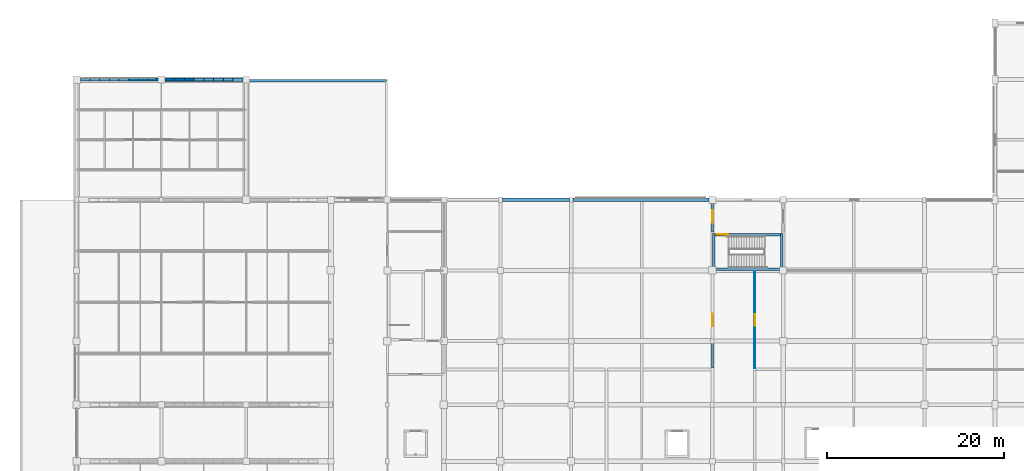
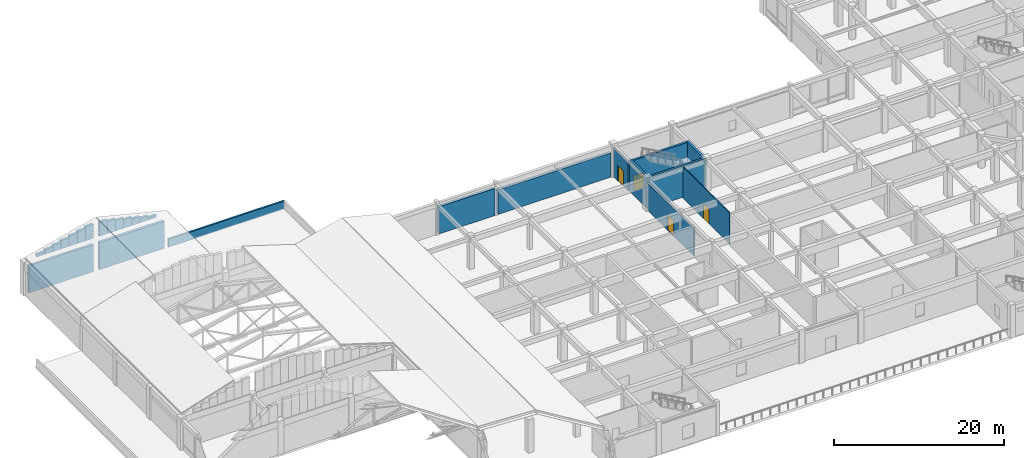
# One storey, part 50 of 61: 26 walls, 4 doors, 4 openings.
"""IFC4 building model written with IfcOpenShell, lengths in metres."""

from ifc_helpers import new_model, si_unit, direction, frame, frame_2d, origin, place, context, subcontext, project, spatial, rectangle, extrude, material, layer, layer_set, type_object, element, fill, save


model = new_model("IFC4")

# Units and contexts
model_context = context("Model", 3, precision=1e-05, world=origin(), true_north=direction((0.0, 1.0)))
body_context = subcontext(model_context, "Body", "Model", "MODEL_VIEW")
ifc_project = project(units=[si_unit("LENGTHUNIT", "METRE"), si_unit("AREAUNIT", "SQUARE_METRE"), si_unit("VOLUMEUNIT", "CUBIC_METRE"), si_unit("PLANEANGLEUNIT", "RADIAN"), si_unit("MASSUNIT", "GRAM", prefix="KILO")], contexts=[model_context])

# Site, building, storey
site_placement = place(None, origin())
site = spatial("IfcSite", under=ifc_project, at=site_placement, CompositionType="ELEMENT")
building_placement = place(site_placement, origin())
building = spatial("IfcBuilding", under=site, at=building_placement, Name="Vellmiral Cinema and Media Centre", CompositionType="ELEMENT")
storey_placement = place(building_placement, frame((0.0, 0.0, 10.800048828125)))
storey = spatial("IfcBuildingStorey", under=building, at=storey_placement, Name="L02", CompositionType="ELEMENT", Elevation=10.800048828125)

# Wall, opening, door
ifc_material_1 = material(Name="Concrete C40/50", Category="concrete")
ifc_layer_1 = layer(ifc_material_1, 0.2099609375, Name="Concrete C40/50")
ifc_layer_set_1 = layer_set([ifc_layer_1], Name="Concrete C40/50")
wall_type_1 = type_object("IfcWallType", Name="WL-COMP-210", PredefinedType="SOLIDWALL", material=ifc_layer_set_1)
wall_1_placement = place(storey_placement, frame((78.39990234375, 76.139892578125, 0.0), z_axis=(0.0, 0.0, 1.0), x_axis=(0.0, 1.0, 0.0)))
wall_1 = element("IfcWall", 1, at=wall_1_placement, inside=storey, type_object=wall_type_1, Name="Media Stack Room Wall E", PredefinedType="SOLIDWALL", context=body_context, shape_type="SweptSolid", body=[
    extrude(rectangle(XDim=10.920166015625, YDim=0.2099609375, at=frame_2d((5.4599609375, 0.0))), origin(), (0.0, 0.0, 1.0), 3.89501953125),
])
opening_1_placement = place(wall_1_placement, frame((4.760009765625, 0.0, 0.0)))
opening_1 = element("IfcOpeningElement", 2, at=opening_1_placement, cuts=wall_1, Name="Opening D-FD60B", PredefinedType="OPENING", context=body_context, shape_type="SweptSolid", body=[
    extrude(rectangle(XDim=1.39990234375, YDim=2.199951171875, at=frame_2d((0.699951171875, 1.10009765625))), frame((0.0, 0.116943359375, 0.0), z_axis=(0.0, -1.0, 0.0), x_axis=(1.0, 0.0, 0.0)), (0.0, 0.0, 1.0), 0.23388671875),
])
ifc_material_2 = material(Name="Steel Fire Door", Category="steel")
door_type_1 = type_object("IfcDoorType", Name="DR-FD60-1400x2200", OperationType="NOTDEFINED", PredefinedType="DOOR", material=ifc_material_2)
door_1_placement = place(opening_1_placement, origin())
door_1 = element("IfcDoor", 3, at=door_1_placement, inside=storey, type_object=door_type_1, Name="Media Stack Room Door", OperationType="SINGLE_SWING_RIGHT", OverallHeight=2.199951171875, OverallWidth=1.39990234375, PredefinedType="DOOR", context=body_context, shape_type="SweptSolid", body=[
    extrude(rectangle(XDim=1.39990234375, YDim=2.199951171875, at=frame_2d((0.699951171875, 1.10009765625))), frame((0.0, 0.02490234375, 0.0), z_axis=(0.0, -1.0, 0.0), x_axis=(1.0, 0.0, 0.0)), (0.0, 0.0, 1.0), 0.050048828125),
])
fill(opening_1, door_1)

# Walls
ifc_material_3 = material(Name="Concrete C40/50", Category="concrete")
ifc_layer_2 = layer(ifc_material_3, 0.300048828125, Name="Concrete C40/50")
ifc_layer_set_2 = layer_set([ifc_layer_2], Name="Concrete C40/50")
wall_type_2 = type_object("IfcWallType", Name="WL-CORE-300", PredefinedType="SHEAR", material=ifc_layer_set_2)
for number, where, z_axis, x_axis, name in (
    (4, (78.550048828125, 87.199951171875, 0.0), (0.0, 0.0, 1.0), (0.0, 1.0, 0.0), "Stair Core Wall ST-P5 L02-W"),
    (5, (86.25, 87.199951171875, 0.0), (0.0, 0.0, 1.0), (0.0, 1.0, 0.0), "Stair Core Wall ST-P5 L02-E"),
):
    element("IfcWall", number, at=place(storey_placement, frame(where, z_axis=z_axis, x_axis=x_axis)), inside=storey, type_object=wall_type_2, Name=name, PredefinedType="SHEAR", context=body_context, shape_type="SweptSolid", body=[
        extrude(rectangle(XDim=4.199951171875, YDim=0.300048828125, at=frame_2d((2.10009765625, 0.0))), origin(), (0.0, 0.0, 1.0), 4.5),
    ])
wall_2_placement = place(storey_placement, frame((78.699951171875, 87.35009765625, 0.0), z_axis=(0.0, 0.0, 1.0), x_axis=(1.0, 0.0, 0.0)))
element("IfcWall", 6, at=wall_2_placement, inside=storey, type_object=wall_type_2, Name="Stair Core Wall ST-P5 L02-S", PredefinedType="SHEAR", context=body_context, shape_type="SweptSolid", body=[
    extrude(rectangle(XDim=7.400146484375, YDim=0.300048828125, at=frame_2d((3.7001953125, 0.0))), origin(), (0.0, 0.0, 1.0), 4.5),
])

# Wall, opening, door
wall_3_placement = place(storey_placement, frame((78.699951171875, 91.25, 0.0), z_axis=(0.0, 0.0, 1.0), x_axis=(1.0, 0.0, 0.0)))
wall_3 = element("IfcWall", 7, at=wall_3_placement, inside=storey, type_object=wall_type_2, Name="Stair Core Wall ST-P5 L02-N", PredefinedType="SHEAR", context=body_context, shape_type="SweptSolid", body=[
    extrude(rectangle(XDim=7.400146484375, YDim=0.300048828125, at=frame_2d((3.7001953125, 0.0))), origin(), (0.0, 0.0, 1.0), 4.5),
])
opening_2_placement = place(wall_3_placement, frame((0.159912109375, 0.0, 0.0)))
opening_2 = element("IfcOpeningElement", 8, at=opening_2_placement, cuts=wall_3, Name="Opening D-FD30A", PredefinedType="OPENING", context=body_context, shape_type="SweptSolid", body=[
    extrude(rectangle(XDim=1.300048828125, YDim=2.179931640625, at=frame_2d((0.64990234375, 1.08984375))), frame((0.0, 0.162109375, 0.0), z_axis=(0.0, -1.0, 0.0), x_axis=(1.0, 0.0, 0.0)), (0.0, 0.0, 1.0), 0.323974609375),
])
ifc_material_4 = material(Name="Steel Stair Fire Door", Category="steel")
door_type_2 = type_object("IfcDoorType", Name="DR-FD30-1300x2180", OperationType="NOTDEFINED", PredefinedType="DOOR", material=ifc_material_4)
door_2_placement = place(opening_2_placement, frame((1.300048828125, 0.0, 0.0), z_axis=(0.0, 0.0, 1.0), x_axis=(-1.0, 0.0, 0.0)))
door_2 = element("IfcDoor", 9, at=door_2_placement, inside=storey, type_object=door_type_2, Name="Protected Stair Door ST-P5 L02", OperationType="SINGLE_SWING_RIGHT", OverallHeight=2.179931640625, OverallWidth=1.300048828125, PredefinedType="DOOR", context=body_context, shape_type="SweptSolid", body=[
    extrude(rectangle(XDim=1.300048828125, YDim=2.179931640625, at=frame_2d((0.64990234375, 1.08984375))), frame((0.0, 0.02490234375, 0.0), z_axis=(0.0, -1.0, 0.0), x_axis=(1.0, 0.0, 0.0)), (0.0, 0.0, 1.0), 0.050048828125),
])
fill(opening_2, door_2)

# Walls
ifc_material_5 = material(Name="Polychrome Glazed Ceramic Cladding", Category="masonry")
ifc_layer_3 = layer(ifc_material_5, 0.320068359375, Name="Polychrome Glazed Ceramic Cladding")
ifc_layer_set_3 = layer_set([ifc_layer_3], Name="Polychrome Glazed Ceramic Cladding")
wall_type_3 = type_object("IfcWallType", Name="WL-EXT-BRICK-320", PredefinedType="SOLIDWALL", material=ifc_layer_set_3)
wall_4_placement = place(storey_placement, frame((15.60009765625, 108.800048828125, 0.0), z_axis=(0.0, 0.0, 1.0), x_axis=(-1.0, 0.0, 0.0)))
element("IfcWall", 10, at=wall_4_placement, inside=storey, type_object=wall_type_3, Name="Exterior Facade Wall L02-072", PredefinedType="SOLIDWALL", context=body_context, shape_type="SweptSolid", body=[
    extrude(rectangle(XDim=8.775146484375, YDim=0.320068359375, at=frame_2d((4.3876953125, 0.0))), origin(), (0.0, 0.0, 1.0), 3.89990234375),
])
ifc_material_6 = material(Name="Vosges Red Sandstone Masonry", Category="masonry")
ifc_layer_4 = layer(ifc_material_6, 0.340087890625, Name="Vosges Red Sandstone Masonry")
ifc_layer_set_4 = layer_set([ifc_layer_4], Name="Vosges Red Sandstone Masonry")
wall_type_4 = type_object("IfcWallType", Name="WL-EXT-SAND-340", PredefinedType="SOLIDWALL", material=ifc_layer_set_4)
wall_5_placement = place(storey_placement, frame((7.921875, 108.800048828125, 4.800048828125), z_axis=(0.0, 0.0, 1.0), x_axis=(1.0, 0.0, 0.0)))
element("IfcWall", 11, at=wall_5_placement, inside=storey, type_object=wall_type_4, Name="Cinema Screen 4 Gable End Wall N-1", PredefinedType="SOLIDWALL", context=body_context, shape_type="SweptSolid", body=[
    extrude(rectangle(XDim=1.096923828125, YDim=0.340087890625, at=frame_2d((0.54833984375, 0.0))), origin(), (0.0, 0.0, 1.0), 0.37939453125),
])
wall_6_placement = place(storey_placement, frame((9.018798828125, 108.800048828125, 4.800048828125), z_axis=(0.0, 0.0, 1.0), x_axis=(1.0, 0.0, 0.0)))
element("IfcWall", 12, at=wall_6_placement, inside=storey, type_object=wall_type_4, Name="Cinema Screen 4 Gable End Wall N-2", PredefinedType="SOLIDWALL", context=body_context, shape_type="SweptSolid", body=[
    extrude(rectangle(XDim=1.0966796875, YDim=0.340087890625, at=frame_2d((0.54833984375, 0.0))), origin(), (0.0, 0.0, 1.0), 0.65283203125),
])
wall_7_placement = place(storey_placement, frame((10.115478515625, 108.800048828125, 4.800048828125), z_axis=(0.0, 0.0, 1.0), x_axis=(1.0, 0.0, 0.0)))
element("IfcWall", 13, at=wall_7_placement, inside=storey, type_object=wall_type_4, Name="Cinema Screen 4 Gable End Wall N-3", PredefinedType="SOLIDWALL", context=body_context, shape_type="SweptSolid", body=[
    extrude(rectangle(XDim=1.096923828125, YDim=0.340087890625, at=frame_2d((0.54833984375, 0.0))), origin(), (0.0, 0.0, 1.0), 0.92626953125),
])
wall_8_placement = place(storey_placement, frame((11.21240234375, 108.800048828125, 4.800048828125), z_axis=(0.0, 0.0, 1.0), x_axis=(1.0, 0.0, 0.0)))
element("IfcWall", 14, at=wall_8_placement, inside=storey, type_object=wall_type_4, Name="Cinema Screen 4 Gable End Wall N-4", PredefinedType="SOLIDWALL", context=body_context, shape_type="SweptSolid", body=[
    extrude(rectangle(XDim=1.096923828125, YDim=0.340087890625, at=frame_2d((0.54833984375, 0.0))), origin(), (0.0, 0.0, 1.0), 1.19970703125),
])
wall_9_placement = place(storey_placement, frame((12.309326171875, 108.800048828125, 4.800048828125), z_axis=(0.0, 0.0, 1.0), x_axis=(1.0, 0.0, 0.0)))
element("IfcWall", 15, at=wall_9_placement, inside=storey, type_object=wall_type_4, Name="Cinema Screen 4 Gable End Wall N-5", PredefinedType="SOLIDWALL", context=body_context, shape_type="SweptSolid", body=[
    extrude(rectangle(XDim=1.096923828125, YDim=0.340087890625, at=frame_2d((0.54833984375, 0.0))), origin(), (0.0, 0.0, 1.0), 1.473388671875),
])
wall_10_placement = place(storey_placement, frame((13.40625, 108.800048828125, 4.800048828125), z_axis=(0.0, 0.0, 1.0), x_axis=(1.0, 0.0, 0.0)))
element("IfcWall", 16, at=wall_10_placement, inside=storey, type_object=wall_type_4, Name="Cinema Screen 4 Gable End Wall N-6", PredefinedType="SOLIDWALL", context=body_context, shape_type="SweptSolid", body=[
    extrude(rectangle(XDim=1.096923828125, YDim=0.340087890625, at=frame_2d((0.54833984375, 0.0))), origin(), (0.0, 0.0, 1.0), 1.746826171875),
])
wall_11_placement = place(storey_placement, frame((14.503173828125, 108.800048828125, 4.800048828125), z_axis=(0.0, 0.0, 1.0), x_axis=(1.0, 0.0, 0.0)))
element("IfcWall", 17, at=wall_11_placement, inside=storey, type_object=wall_type_4, Name="Cinema Screen 4 Gable End Wall N-7", PredefinedType="SOLIDWALL", context=body_context, shape_type="SweptSolid", body=[
    extrude(rectangle(XDim=1.096923828125, YDim=0.340087890625, at=frame_2d((0.54833984375, 0.0))), origin(), (0.0, 0.0, 1.0), 2.020263671875),
])
wall_12_placement = place(storey_placement, frame((16.39990234375, 108.800048828125, 4.800048828125), z_axis=(0.0, 0.0, 1.0), x_axis=(1.0, 0.0, 0.0)))
element("IfcWall", 18, at=wall_12_placement, inside=storey, type_object=wall_type_4, Name="Cinema Screen 4 Gable End Wall N-8", PredefinedType="SOLIDWALL", context=body_context, shape_type="SweptSolid", body=[
    extrude(rectangle(XDim=1.103271484375, YDim=0.340087890625, at=frame_2d((0.5517578125, 0.0))), origin(), (0.0, 0.0, 1.0), 2.018798828125),
])
wall_13_placement = place(storey_placement, frame((17.503173828125, 108.800048828125, 4.800048828125), z_axis=(0.0, 0.0, 1.0), x_axis=(1.0, 0.0, 0.0)))
element("IfcWall", 19, at=wall_13_placement, inside=storey, type_object=wall_type_4, Name="Cinema Screen 4 Gable End Wall N-9", PredefinedType="SOLIDWALL", context=body_context, shape_type="SweptSolid", body=[
    extrude(rectangle(XDim=1.10302734375, YDim=0.340087890625, at=frame_2d((0.551513671875, 0.0))), origin(), (0.0, 0.0, 1.0), 1.74365234375),
])
wall_14_placement = place(storey_placement, frame((18.606201171875, 108.800048828125, 4.800048828125), z_axis=(0.0, 0.0, 1.0), x_axis=(1.0, 0.0, 0.0)))
element("IfcWall", 20, at=wall_14_placement, inside=storey, type_object=wall_type_4, Name="Cinema Screen 4 Gable End Wall N-10", PredefinedType="SOLIDWALL", context=body_context, shape_type="SweptSolid", body=[
    extrude(rectangle(XDim=1.103271484375, YDim=0.340087890625, at=frame_2d((0.5517578125, 0.0))), origin(), (0.0, 0.0, 1.0), 1.468505859375),
])
wall_15_placement = place(storey_placement, frame((19.70947265625, 108.800048828125, 4.800048828125), z_axis=(0.0, 0.0, 1.0), x_axis=(1.0, 0.0, 0.0)))
element("IfcWall", 21, at=wall_15_placement, inside=storey, type_object=wall_type_4, Name="Cinema Screen 4 Gable End Wall N-11", PredefinedType="SOLIDWALL", context=body_context, shape_type="SweptSolid", body=[
    extrude(rectangle(XDim=1.10302734375, YDim=0.340087890625, at=frame_2d((0.551513671875, 0.0))), origin(), (0.0, 0.0, 1.0), 1.193603515625),
])
wall_16_placement = place(storey_placement, frame((20.8125, 108.800048828125, 4.800048828125), z_axis=(0.0, 0.0, 1.0), x_axis=(1.0, 0.0, 0.0)))
element("IfcWall", 22, at=wall_16_placement, inside=storey, type_object=wall_type_4, Name="Cinema Screen 4 Gable End Wall N-12", PredefinedType="SOLIDWALL", context=body_context, shape_type="SweptSolid", body=[
    extrude(rectangle(XDim=1.10302734375, YDim=0.340087890625, at=frame_2d((0.551513671875, 0.0))), origin(), (0.0, 0.0, 1.0), 0.91845703125),
])
wall_17_placement = place(storey_placement, frame((21.91552734375, 108.800048828125, 4.800048828125), z_axis=(0.0, 0.0, 1.0), x_axis=(1.0, 0.0, 0.0)))
element("IfcWall", 23, at=wall_17_placement, inside=storey, type_object=wall_type_4, Name="Cinema Screen 4 Gable End Wall N-13", PredefinedType="SOLIDWALL", context=body_context, shape_type="SweptSolid", body=[
    extrude(rectangle(XDim=1.103271484375, YDim=0.340087890625, at=frame_2d((0.5517578125, 0.0))), origin(), (0.0, 0.0, 1.0), 0.6435546875),
])
wall_18_placement = place(storey_placement, frame((23.018798828125, 108.800048828125, 4.800048828125), z_axis=(0.0, 0.0, 1.0), x_axis=(1.0, 0.0, 0.0)))
element("IfcWall", 24, at=wall_18_placement, inside=storey, type_object=wall_type_4, Name="Cinema Screen 4 Gable End Wall N-14", PredefinedType="SOLIDWALL", context=body_context, shape_type="SweptSolid", body=[
    extrude(rectangle(XDim=1.10302734375, YDim=0.340087890625, at=frame_2d((0.551513671875, 0.0))), origin(), (0.0, 0.0, 1.0), 0.368408203125),
])
ifc_material_7 = material(Name="Vosges Red Sandstone Masonry", Category="masonry")
ifc_layer_5 = layer(ifc_material_7, 0.3798828125, Name="Vosges Red Sandstone Masonry")
ifc_layer_set_5 = layer_set([ifc_layer_5], Name="Vosges Red Sandstone Masonry")
wall_type_5 = type_object("IfcWallType", Name="WL-EXT-SAND-380", PredefinedType="SOLIDWALL", material=ifc_layer_set_5)
wall_19_placement = place(storey_placement, frame((78.0, 95.199951171875, 0.0), z_axis=(0.0, 0.0, 1.0), x_axis=(-1.0, 0.0, 0.0)))
element("IfcWall", 25, at=wall_19_placement, inside=storey, type_object=wall_type_5, Name="Exterior Facade Wall L02-064", PredefinedType="SOLIDWALL", context=body_context, shape_type="SweptSolid", body=[
    extrude(rectangle(XDim=15.39990234375, YDim=0.3798828125, at=frame_2d((7.699951171875, 0.0))), origin(), (0.0, 0.0, 1.0), 3.48486328125),
])
wall_20_placement = place(storey_placement, frame((62.199951171875, 95.199951171875, 0.0), z_axis=(0.0, 0.0, 1.0), x_axis=(-1.0, 0.0, 0.0)))
element("IfcWall", 26, at=wall_20_placement, inside=storey, type_object=wall_type_5, Name="Exterior Facade Wall L02-065", PredefinedType="SOLIDWALL", context=body_context, shape_type="SweptSolid", body=[
    extrude(rectangle(XDim=7.599853515625, YDim=0.3798828125, at=frame_2d((3.7998046875, 0.0))), origin(), (0.0, 0.0, 1.0), 3.89990234375),
])
wall_21_placement = place(storey_placement, frame((25.22509765625, 108.800048828125, 0.0), z_axis=(0.0, 0.0, 1.0), x_axis=(-1.0, 0.0, 0.0)))
element("IfcWall", 27, at=wall_21_placement, inside=storey, type_object=wall_type_5, Name="Exterior Facade Wall L02-071", PredefinedType="SOLIDWALL", context=body_context, shape_type="SweptSolid", body=[
    extrude(rectangle(XDim=8.8251953125, YDim=0.3798828125, at=frame_2d((4.41259765625, 0.0))), origin(), (0.0, 0.0, 1.0), 3.89990234375),
])

# Wall, opening, door
ifc_material_8 = material(Name="Concrete C40/50", Category="concrete")
ifc_layer_6 = layer(ifc_material_8, 0.22998046875, Name="Concrete C40/50")
ifc_layer_set_6 = layer_set([ifc_layer_6], Name="Concrete C40/50")
wall_type_6 = type_object("IfcWallType", Name="WL-FFL-230", PredefinedType="SOLIDWALL", material=ifc_layer_set_6)
wall_22_placement = place(storey_placement, frame((78.39990234375, 91.5400390625, 0.0), z_axis=(0.0, 0.0, 1.0), x_axis=(0.0, 1.0, 0.0)))
wall_22 = element("IfcWall", 28, at=wall_22_placement, inside=storey, type_object=wall_type_6, Name="Firefighting Stair Lobby ST-P5 Wall W", PredefinedType="SOLIDWALL", context=body_context, shape_type="SweptSolid", body=[
    extrude(rectangle(XDim=3.554931640625, YDim=0.22998046875, at=frame_2d((1.77734375, 0.0))), origin(), (0.0, 0.0, 1.0), 4.044921875),
])
opening_3_placement = place(wall_22_placement, frame((1.06005859375, 0.0, 0.0)))
opening_3 = element("IfcOpeningElement", 29, at=opening_3_placement, cuts=wall_22, Name="Opening D-FD60B", PredefinedType="OPENING", context=body_context, shape_type="SweptSolid", body=[
    extrude(rectangle(XDim=1.39990234375, YDim=2.199951171875, at=frame_2d((0.699951171875, 1.10009765625))), frame((0.0, 0.126953125, 0.0), z_axis=(0.0, -1.0, 0.0), x_axis=(1.0, 0.0, 0.0)), (0.0, 0.0, 1.0), 0.25390625),
])
door_3_placement = place(opening_3_placement, frame((1.39990234375, 0.0, 0.0), z_axis=(0.0, 0.0, 1.0), x_axis=(-1.0, 0.0, 0.0)))
door_3 = element("IfcDoor", 30, at=door_3_placement, inside=storey, type_object=door_type_1, Name="Firefighting Stair Lobby ST-P5 Door", OperationType="SINGLE_SWING_LEFT", OverallHeight=2.199951171875, OverallWidth=1.39990234375, PredefinedType="DOOR", context=body_context, shape_type="SweptSolid", body=[
    extrude(rectangle(XDim=1.39990234375, YDim=2.199951171875, at=frame_2d((0.699951171875, 1.10009765625))), frame((0.0, 0.02490234375, 0.0), z_axis=(0.0, -1.0, 0.0), x_axis=(1.0, 0.0, 0.0)), (0.0, 0.0, 1.0), 0.050048828125),
])
fill(opening_3, door_3)

# Wall
ifc_material_9 = material(Name="Vosges Red Sandstone Masonry", Category="masonry")
ifc_layer_7 = layer(ifc_material_9, 0.239990234375, Name="Vosges Red Sandstone Masonry")
ifc_layer_set_7 = layer_set([ifc_layer_7], Name="Vosges Red Sandstone Masonry")
wall_type_7 = type_object("IfcWallType", Name="WL-PARAPET-240", PredefinedType="PARAPET", material=ifc_layer_set_7)
wall_23_placement = place(storey_placement, frame((25.719970703125, 108.679931640625, 0.0), z_axis=(0.0, 0.0, 1.0), x_axis=(1.0, 0.0, 0.0)))
element("IfcWall", 31, at=wall_23_placement, inside=storey, type_object=wall_type_7, Name="Roof Parapet Wall WING2-NW-1", PredefinedType="PARAPET", context=body_context, shape_type="SweptSolid", body=[
    extrude(rectangle(XDim=15.760009765625, YDim=0.239990234375, at=frame_2d((7.8798828125, 0.0))), origin(), (0.0, 0.0, 1.0), 1.14990234375),
])

# Wall, opening, door
ifc_material_10 = material(Name="Gypsum Plasterboard")
ifc_layer_8 = layer(ifc_material_10, 0.02490234375, Name="Gypsum Plasterboard", Category="gypsum")
ifc_material_11 = material(Name="Mineral Wool Acoustic Insulation", Category="insulation")
ifc_layer_9 = layer(ifc_material_11, 0.06005859375, Name="Mineral Wool Acoustic Insulation", Category="insulation")
ifc_layer_10 = layer(ifc_material_10, 0.02490234375, Name="Gypsum Plasterboard", Category="gypsum")
ifc_layer_set_8 = layer_set([ifc_layer_8, ifc_layer_9, ifc_layer_10], Name="Gypsum Plasterboard")
wall_type_8 = type_object("IfcWallType", Name="WL-PART-110", PredefinedType="PARTITIONING", material=ifc_layer_set_8)
wall_24_placement = place(storey_placement, frame((83.199951171875, 76.139892578125, 0.0), z_axis=(0.0, 0.0, 1.0), x_axis=(0.0, 1.0, 0.0)))
wall_24 = element("IfcWall", 32, at=wall_24_placement, inside=storey, type_object=wall_type_8, Name="Media Library Conservation Workshop Wall W", PredefinedType="PARTITIONING", context=body_context, shape_type="SweptSolid", body=[
    extrude(rectangle(XDim=10.920166015625, YDim=0.110107421875, at=frame_2d((5.4599609375, 0.0))), origin(), (0.0, 0.0, 1.0), 4.5),
])
opening_4_placement = place(wall_24_placement, frame((4.81005859375, 0.0, 0.0)))
opening_4 = element("IfcOpeningElement", 33, at=opening_4_placement, cuts=wall_24, Name="Opening D-I04", PredefinedType="OPENING", context=body_context, shape_type="SweptSolid", body=[
    extrude(rectangle(XDim=1.300048828125, YDim=2.14990234375, at=frame_2d((0.64990234375, 1.074951171875))), frame((0.0, 0.06689453125, 0.0), z_axis=(0.0, -1.0, 0.0), x_axis=(1.0, 0.0, 0.0)), (0.0, 0.0, 1.0), 0.134033203125),
])
ifc_material_12 = material(Name="Laminated Timber Door", Category="wood")
door_type_3 = type_object("IfcDoorType", Name="DR-INT-1300x2150", OperationType="NOTDEFINED", PredefinedType="DOOR", material=ifc_material_12)
door_4_placement = place(opening_4_placement, frame((1.300048828125, 0.0, 0.0), z_axis=(0.0, 0.0, 1.0), x_axis=(-1.0, 0.0, 0.0)))
door_4 = element("IfcDoor", 34, at=door_4_placement, inside=storey, type_object=door_type_3, Name="Media Library Conservation Workshop Door", OperationType="SINGLE_SWING_LEFT", OverallHeight=2.14990234375, OverallWidth=1.300048828125, PredefinedType="DOOR", context=body_context, shape_type="SweptSolid", body=[
    extrude(rectangle(XDim=1.300048828125, YDim=2.14990234375, at=frame_2d((0.64990234375, 1.074951171875))), frame((0.0, 0.02490234375, 0.0), z_axis=(0.0, -1.0, 0.0), x_axis=(1.0, 0.0, 0.0)), (0.0, 0.0, 1.0), 0.050048828125),
])
fill(opening_4, door_4)

save(model, "model.ifc")
